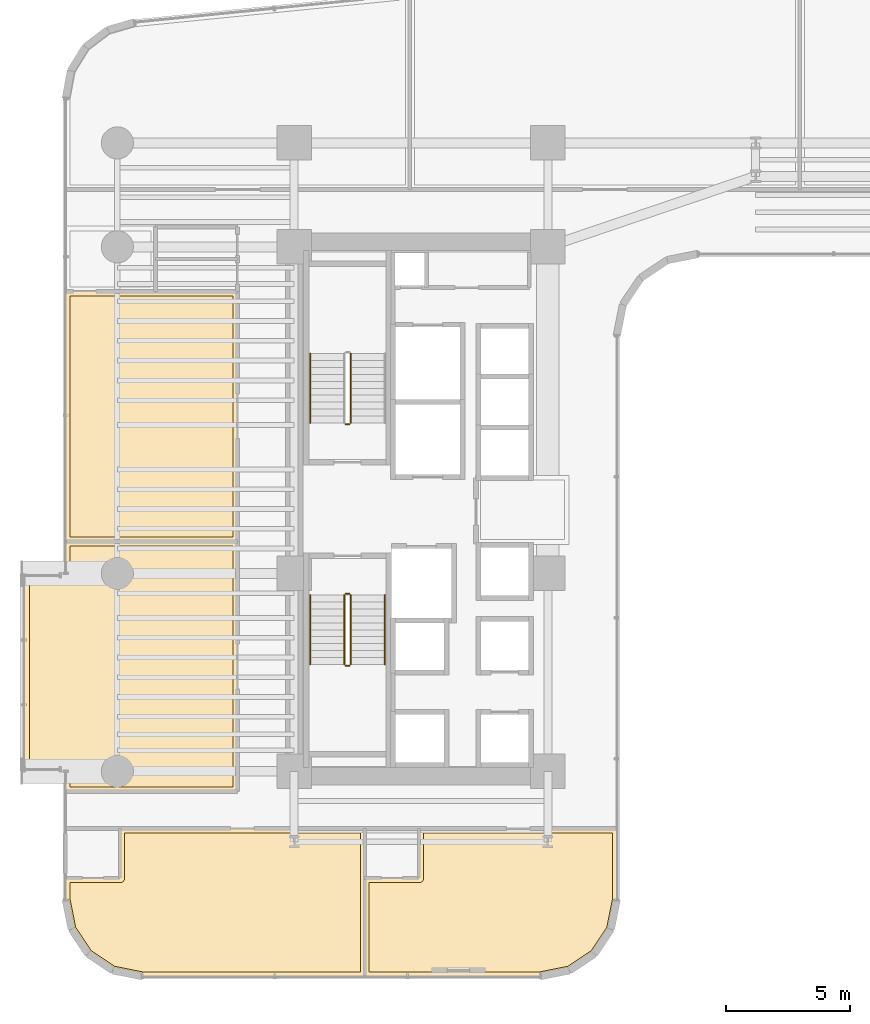
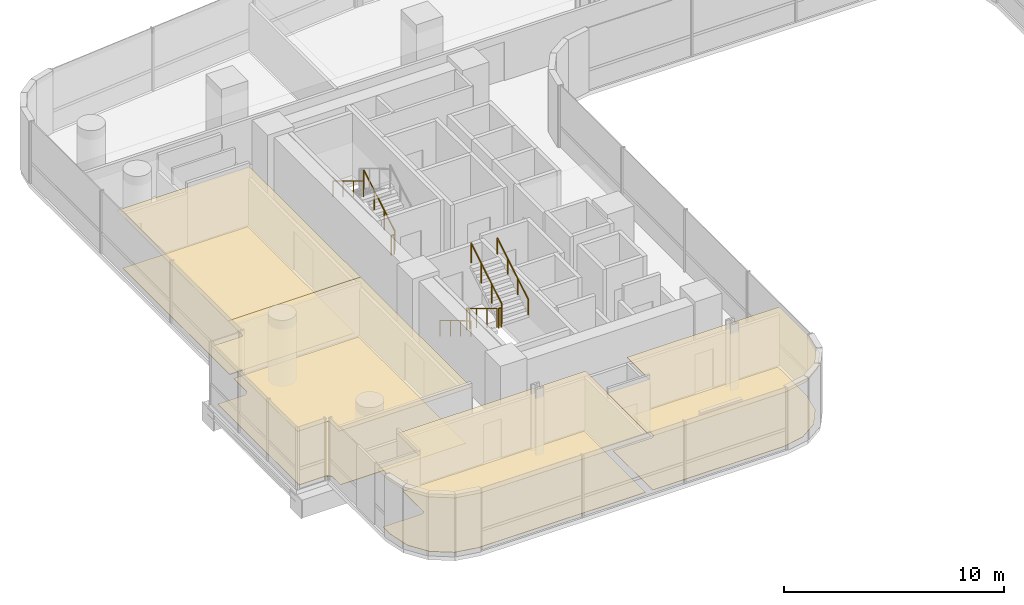
# One storey, part 36 of 40: 9 railings, 8 coverings.
"""IFC4 building model written with IfcOpenShell, lengths in metres."""

import ifcopenshell
import ifcopenshell.guid

model = None  # the IFC model being written
_history = None  # IfcOwnerHistory: only IFC2X3 demands one
_inside = {}  # id of a spatial element -> (the spatial element, [elements in it])
_under = {}  # id of a project, library or spatial element -> (it, [spatial elements below it])
_declared = {}  # id of a project -> (the project, [libraries it declares])
_typed = {}  # id of a type object -> (the type object, [elements of that type])
_made_of = {}  # id of a material, layer set ... -> (it, [elements and type objects made of it])


def new_model(schema):
    """Start an empty IFC model of exactly this schema.

    Asked for "IFC4X3", IfcOpenShell would pick the latest addendum, in which some entities
    have other attributes; the version numbers below select the first issue.
    IFC2X3 requires an IfcOwnerHistory on every rooted entity: one is made here for all.
    """
    global model, _history
    if schema == "IFC4X3":
        model = ifcopenshell.file(schema_version=(4, 3, 0, 0))
    else:
        model = ifcopenshell.file(schema=schema)
    _inside.clear()
    _under.clear()
    _declared.clear()
    _typed.clear()
    _made_of.clear()
    _history = None
    if model.schema == "IFC2X3":
        org = make("IfcOrganization", Name="unknown")
        user = make(
            "IfcPersonAndOrganization",
            ThePerson=make("IfcPerson", FamilyName="unknown"),
            TheOrganization=org,
        )
        app = make(
            "IfcApplication",
            ApplicationDeveloper=org,
            Version="unknown",
            ApplicationFullName="unknown",
            ApplicationIdentifier="unknown",
        )
        _history = make(
            "IfcOwnerHistory",
            OwningUser=user,
            OwningApplication=app,
            ChangeAction="ADDED",
            CreationDate=0,
        )
    return model


def make(cls, **values):
    """One entity of the class cls with the attributes given. An attribute that is None is left unset."""
    return model.create_entity(
        cls, **{name: value for name, value in values.items() if value is not None}
    )


def rooted(cls, **values):
    """An entity with a GlobalId (a new one), such as an element, a storey or a relation."""
    return make(cls, GlobalId=ifcopenshell.guid.new(), OwnerHistory=_history, **values)


def si_unit(unit_type, name, prefix=None):
    """IfcSIUnit, for example si_unit("LENGTHUNIT", "METRE", prefix="MILLI")."""
    return make("IfcSIUnit", UnitType=unit_type, Prefix=prefix, Name=name)


def assignment(units):
    """IfcUnitAssignment: the units of a project."""
    return None if units is None else make("IfcUnitAssignment", Units=units)


def point(xyz):
    """IfcCartesianPoint."""
    return None if xyz is None else make("IfcCartesianPoint", Coordinates=xyz)


def direction(xyz):
    """IfcDirection."""
    return None if xyz is None else make("IfcDirection", DirectionRatios=xyz)


def frame(location, z_axis=None, x_axis=None):
    """IfcAxis2Placement3D, a coordinate frame: its origin and axes. An axis left out is left unset."""
    return make(
        "IfcAxis2Placement3D",
        Location=point(location),
        Axis=direction(z_axis),
        RefDirection=direction(x_axis),
    )


def frame_2d(location, x_axis=None):
    """IfcAxis2Placement2D, a coordinate frame in the plane: its origin and x axis."""
    return make(
        "IfcAxis2Placement2D", Location=point(location), RefDirection=direction(x_axis)
    )


def origin():
    """The frame at (0, 0, 0) with its axes left unset."""
    return frame((0.0, 0.0, 0.0))


def origin_2d():
    """The frame at (0, 0) in the plane with its x axis left unset."""
    return frame_2d((0.0, 0.0))


def place(relative_to, where):
    """IfcLocalPlacement: puts the frame where relative to a parent placement (None: the world)."""
    return make(
        "IfcLocalPlacement", PlacementRelTo=relative_to, RelativePlacement=where
    )


def context(
    kind, dimensions, precision=None, world=None, true_north=None, identifier=None
):
    """IfcGeometricRepresentationContext, for example the 3D "Model" context."""
    return make(
        "IfcGeometricRepresentationContext",
        ContextIdentifier=identifier,
        ContextType=kind,
        CoordinateSpaceDimension=dimensions,
        Precision=precision,
        WorldCoordinateSystem=world,
        TrueNorth=true_north,
    )


def subcontext(parent, identifier, kind, view, scale=None):
    """IfcGeometricRepresentationSubContext, for example "Body" below "Model"."""
    return make(
        "IfcGeometricRepresentationSubContext",
        ContextIdentifier=identifier,
        ContextType=kind,
        ParentContext=parent,
        TargetScale=scale,
        TargetView=view,
    )


def project(units=None, contexts=None):
    """IfcProject with its units and contexts."""
    return rooted(
        "IfcProject",
        Name="project",
        RepresentationContexts=contexts,
        UnitsInContext=assignment(units),
    )


def spatial(cls, under=None, at=None, **own):
    """A site, building, storey or space (cls), placed at a placement, below another one or the project."""
    s = rooted(cls, ObjectPlacement=at, **own)
    if under is not None:
        _under.setdefault(under.id(), (under, []))[1].append(s)
    return s


def polyline(points):
    """IfcPolyline through the points."""
    return make("IfcPolyline", Points=[point(p) for p in points])


def profile(cls, at=None, kind="AREA", **sizes):
    """A parametric profile (cls). Its sizes go by their IFC names, for example OverallWidth=200.0."""
    return make(cls, ProfileType=kind, Position=at, **sizes)


def circle(**sizes):
    """IfcCircleProfileDef."""
    return profile("IfcCircleProfileDef", **sizes)


def outline(outer, holes=None, kind="AREA"):
    """IfcArbitraryClosedProfileDef: a profile drawn as a closed curve; with holes, ...WithVoids."""
    if holes is None:
        return make("IfcArbitraryClosedProfileDef", ProfileType=kind, OuterCurve=outer)
    return make(
        "IfcArbitraryProfileDefWithVoids",
        ProfileType=kind,
        OuterCurve=outer,
        InnerCurves=holes,
    )


def extrude(swept, where, along, depth):
    """IfcExtrudedAreaSolid: the profile swept, set in the frame where, extruded along a direction by depth."""
    return make(
        "IfcExtrudedAreaSolid",
        SweptArea=swept,
        Position=where,
        ExtrudedDirection=direction(along),
        Depth=depth,
    )


def shape(context_of_items, identifier, shape_type, items):
    """IfcShapeRepresentation: the items that make up one representation, for example the "Body"."""
    return make(
        "IfcShapeRepresentation",
        ContextOfItems=context_of_items,
        RepresentationIdentifier=identifier,
        RepresentationType=shape_type,
        Items=items,
    )


def material(Name=None, Category=None):
    """IfcMaterial."""
    return make("IfcMaterial", Name=Name, Category=Category)


def layer(
    of_material, thickness, ventilated=None, Name=None, Category=None, Priority=None
):
    """IfcMaterialLayer: one layer of a wall or slab, of a material (None: an air gap)."""
    return make(
        "IfcMaterialLayer",
        Material=of_material,
        LayerThickness=thickness,
        IsVentilated=ventilated,
        Name=Name,
        Category=Category,
        Priority=Priority,
    )


def layer_set(layers, Name=None):
    """IfcMaterialLayerSet."""
    return make("IfcMaterialLayerSet", MaterialLayers=layers, LayerSetName=Name)


def made_of(thing, what):
    """Note that an element or type object is made of a material, layer set ...; save() writes the relation."""
    if what is not None:
        _made_of.setdefault(what.id(), (what, []))[1].append(thing)
    return thing


def type_object(cls, material=None, **own):
    """A type object (cls), such as IfcWallType, which elements share."""
    return made_of(rooted(cls, **own), material)


def element(
    cls,
    number,
    at=None,
    inside=None,
    cuts=None,
    type_object=None,
    material=None,
    context=None,
    identifier="Body",
    shape_type=None,
    held_by="IfcProductDefinitionShape",
    body=None,
    shapes=None,
    **own,
):
    """One element of the class cls, such as IfcWall. Its Tag is "e" and its number.

    at: its placement. inside: the storey or other place that contains it. cuts: it is an
    opening in that element (IfcRelVoidsElement). A single representation is given by context,
    identifier, shape_type and body (its items); several are given by shapes. held_by: the class
    of the entity that holds the representations. save() writes the other relations.
    """
    e = rooted(cls, Tag="e%d" % number, ObjectPlacement=at, **own)
    if body is not None:
        shapes = [shape(context, identifier, shape_type, body)]
    if shapes is not None:
        e.Representation = make(held_by, Representations=shapes)
    if inside is not None:
        _inside.setdefault(inside.id(), (inside, []))[1].append(e)
    if cuts is not None:
        rooted(
            "IfcRelVoidsElement", RelatingBuildingElement=cuts, RelatedOpeningElement=e
        )
    if type_object is not None:
        _typed.setdefault(type_object.id(), (type_object, []))[1].append(e)
    return made_of(e, material)


def aggregate(whole, parts):
    """IfcRelAggregates: a whole, such as a stair, and the parts it consists of."""
    return rooted("IfcRelAggregates", RelatingObject=whole, RelatedObjects=parts)


def save(model, path):
    """Write the relations noted so far, then the file.

    IfcRelAggregates (storeys below a building ...), IfcRelContainedInSpatialStructure (elements
    in a storey), IfcRelDefinesByType, IfcRelAssociatesMaterial and IfcRelDeclares: one each for
    every whole, place, type object, material and project.
    """
    for whole, parts in _under.values():
        aggregate(whole, parts)
    for where, things in _inside.values():
        rooted(
            "IfcRelContainedInSpatialStructure",
            RelatedElements=things,
            RelatingStructure=where,
        )
    for kind, things in _typed.values():
        rooted("IfcRelDefinesByType", RelatedObjects=things, RelatingType=kind)
    for what, things in _made_of.values():
        rooted("IfcRelAssociatesMaterial", RelatedObjects=things, RelatingMaterial=what)
    for by, libraries in _declared.values():
        rooted("IfcRelDeclares", RelatingContext=by, RelatedDefinitions=libraries)
    model.write(path)


model = new_model("IFC4")

# Units and contexts
model_context = context("Model", 3, precision=1e-05, world=origin(), true_north=direction((0.0, 1.0)))
body_context = subcontext(model_context, "Body", "Model", "MODEL_VIEW")
ifc_project = project(units=[si_unit("LENGTHUNIT", "METRE"), si_unit("AREAUNIT", "SQUARE_METRE"), si_unit("VOLUMEUNIT", "CUBIC_METRE"), si_unit("PLANEANGLEUNIT", "RADIAN"), si_unit("MASSUNIT", "GRAM", prefix="KILO")], contexts=[model_context])

# Site, building, storey
site_placement = place(None, origin())
site = spatial("IfcSite", under=ifc_project, at=site_placement, CompositionType="ELEMENT")
building_placement = place(site_placement, origin())
building = spatial("IfcBuilding", under=site, at=building_placement, Name="Valdorenza Pilgrim Sanctuary Tower", CompositionType="ELEMENT")
storey_placement = place(building_placement, frame((0.0, 0.0, 66.699951171875)))
storey = spatial("IfcBuildingStorey", under=building, at=storey_placement, Name="L16", CompositionType="ELEMENT", Elevation=66.699951171875)

# Coverings
ifc_material_1 = material(Name="Micro-perforated acoustic mineral ceiling tile", Category="gypsum")
ifc_layer_1 = layer(ifc_material_1, 0.02490234375, Name="Micro-perforated acoustic mineral ceiling tile")
ifc_layer_set_1 = layer_set([ifc_layer_1], Name="Micro-perforated acoustic mineral ceiling tile")
covering_type_1 = type_object("IfcCoveringType", Name="COV-CLG-ACU", PredefinedType="CEILING", material=ifc_layer_set_1)
covering_1_placement = place(storey_placement, frame((0.0, 0.0, 3.16015625)))
element("IfcCovering", 1, at=covering_1_placement, inside=storey, type_object=covering_type_1, Name="L16 Theological Seminar Classroom L16-WH1 Acoustic Ceiling", PredefinedType="CEILING", context=body_context, shape_type="SweptSolid", body=[
    extrude(outline(polyline([(-24.93505859375, -11.419921875), (-24.93505859375, -11.42138671875), (-24.935302734375, -11.4228515625), (-24.935546875, -11.42431640625), (-24.93603515625, -11.42578125), (-24.936767578125, -11.427001953125), (-24.9375, -11.42822265625), (-24.9384765625, -11.429443359375), (-24.939453125, -11.4306640625), (-24.9404296875, -11.431640625), (-24.941650390625, -11.4326171875), (-24.94287109375, -11.43310546875), (-24.9443359375, -11.433837890625), (-24.945556640625, -11.434326171875), (-24.947021484375, -11.434814453125), (-24.948486328125, -11.434814453125), (-24.949951171875, -11.43505859375), (-31.889892578125, -11.43505859375), (-31.8916015625, -11.434814453125), (-31.892822265625, -11.434814453125), (-31.894287109375, -11.434326171875), (-31.895751953125, -11.433837890625), (-31.897216796875, -11.43310546875), (-31.898193359375, -11.4326171875), (-31.8994140625, -11.431640625), (-31.900634765625, -11.4306640625), (-31.901611328125, -11.429443359375), (-31.902587890625, -11.42822265625), (-31.9033203125, -11.427001953125), (-31.90380859375, -11.42578125), (-31.904296875, -11.42431640625), (-31.90478515625, -11.4228515625), (-31.90478515625, -11.42138671875), (-31.905029296875, -11.419921875), (-31.905029296875, -10.600341796875), (-31.905517578125, -10.5908203125), (-31.90673828125, -10.58154296875), (-31.9091796875, -10.572509765625), (-31.912109375, -10.563720703125), (-31.916259765625, -10.55517578125), (-31.9208984375, -10.547119140625), (-31.926513671875, -10.539794921875), (-31.932861328125, -10.53271484375), (-31.939697265625, -10.526611328125), (-31.947265625, -10.52099609375), (-31.955078125, -10.51611328125), (-31.963623046875, -10.51220703125), (-31.972412109375, -10.509033203125), (-31.9814453125, -10.5068359375), (-31.99072265625, -10.505615234375), (-32.00048828125, -10.5048828125), (-33.5400390625, -10.5048828125), (-33.54150390625, -10.5048828125), (-33.54296875, -10.504638671875), (-33.54443359375, -10.50439453125), (-33.545654296875, -10.50390625), (-33.547119140625, -10.503173828125), (-33.54833984375, -10.50244140625), (-33.549560546875, -10.501708984375), (-33.550537109375, -10.50048828125), (-33.551513671875, -10.49951171875), (-33.552490234375, -10.498291015625), (-33.55322265625, -10.4970703125), (-33.553955078125, -10.49560546875), (-33.554443359375, -10.494384765625), (-33.5546875, -10.492919921875), (-33.554931640625, -10.491455078125), (-33.554931640625, -10.489990234375), (-33.554931640625, -2.7099609375), (-33.554931640625, -2.70849609375), (-33.5546875, -2.70703125), (-33.554443359375, -2.70556640625), (-33.553955078125, -2.704345703125), (-33.55322265625, -2.702880859375), (-33.552490234375, -2.70166015625), (-33.551513671875, -2.700439453125), (-33.550537109375, -2.699462890625), (-33.549560546875, -2.698486328125), (-33.54833984375, -2.697509765625), (-33.547119140625, -2.69677734375), (-33.545654296875, -2.696044921875), (-33.54443359375, -2.695556640625), (-33.54296875, -2.6953125), (-33.54150390625, -2.695068359375), (-33.5400390625, -2.695068359375), (-32.00048828125, -2.695068359375), (-31.99072265625, -2.694580078125), (-31.9814453125, -2.693115234375), (-31.972412109375, -2.69091796875), (-31.963623046875, -2.687744140625), (-31.955078125, -2.683837890625), (-31.947265625, -2.678955078125), (-31.939697265625, -2.67333984375), (-31.932861328125, -2.667236328125), (-31.926513671875, -2.660400390625), (-31.9208984375, -2.65283203125), (-31.916259765625, -2.644775390625), (-31.912109375, -2.63623046875), (-31.9091796875, -2.627685546875), (-31.90673828125, -2.618408203125), (-31.905517578125, -2.609375), (-31.905029296875, -2.599609375), (-31.905029296875, -1.31005859375), (-31.90478515625, -1.30859375), (-31.90478515625, -1.30712890625), (-31.904296875, -1.3056640625), (-31.90380859375, -1.30419921875), (-31.9033203125, -1.302978515625), (-31.902587890625, -1.3017578125), (-31.901611328125, -1.300537109375), (-31.900634765625, -1.29931640625), (-31.8994140625, -1.29833984375), (-31.898193359375, -1.297607421875), (-31.897216796875, -1.296875), (-31.895751953125, -1.296142578125), (-31.894287109375, -1.295654296875), (-31.892822265625, -1.29541015625), (-31.8916015625, -1.295166015625), (-31.889892578125, -1.294921875), (-24.949951171875, -1.294921875), (-24.948486328125, -1.295166015625), (-24.947021484375, -1.29541015625), (-24.945556640625, -1.295654296875), (-24.9443359375, -1.296142578125), (-24.94287109375, -1.296875), (-24.941650390625, -1.297607421875), (-24.9404296875, -1.29833984375), (-24.939453125, -1.29931640625), (-24.9384765625, -1.300537109375), (-24.9375, -1.3017578125), (-24.936767578125, -1.302978515625), (-24.93603515625, -1.30419921875), (-24.935546875, -1.3056640625), (-24.935302734375, -1.30712890625), (-24.93505859375, -1.30859375), (-24.93505859375, -1.31005859375), (-24.93505859375, -11.419921875)])), origin(), (0.0, 0.0, 1.0), 0.02490234375),
])
covering_2_placement = place(storey_placement, frame((0.0, 0.0, 3.16015625)))
element("IfcCovering", 2, at=covering_2_placement, inside=storey, type_object=covering_type_1, Name="L16 Theological Seminar Classroom L16-WH2 Acoustic Ceiling", PredefinedType="CEILING", context=body_context, shape_type="SweptSolid", body=[
    extrude(outline(polyline([(-28.253662109375, 8.81298828125), (-28.253173828125, 8.81298828125), (-28.25146484375, 8.813232421875), (-28.25, 8.813232421875), (-28.24853515625, 8.81298828125), (-28.248291015625, 8.81298828125), (-24.949951171875, 8.81298828125), (-24.948486328125, 8.81298828125), (-24.947021484375, 8.812744140625), (-24.945556640625, 8.8125), (-24.9443359375, 8.81201171875), (-24.94287109375, 8.811279296875), (-24.941650390625, 8.810546875), (-24.9404296875, 8.8095703125), (-24.939453125, 8.80859375), (-24.9384765625, 8.8076171875), (-24.9375, 8.806396484375), (-24.936767578125, 8.80517578125), (-24.93603515625, 8.8037109375), (-24.935546875, 8.802490234375), (-24.935302734375, 8.80078125), (-24.93505859375, 8.799560546875), (-24.93505859375, 8.798095703125), (-24.93505859375, -1.30810546875), (-24.93505859375, -1.3095703125), (-24.935302734375, -1.310791015625), (-24.935546875, -1.3125), (-24.93603515625, -1.313720703125), (-24.936767578125, -1.315185546875), (-24.9375, -1.31640625), (-24.9384765625, -1.3173828125), (-24.939453125, -1.318603515625), (-24.9404296875, -1.319580078125), (-24.941650390625, -1.320556640625), (-24.94287109375, -1.3212890625), (-24.9443359375, -1.322021484375), (-24.945556640625, -1.322509765625), (-24.947021484375, -1.32275390625), (-24.948486328125, -1.322998046875), (-24.949951171875, -1.322998046875), (-31.889892578125, -1.322998046875), (-31.8916015625, -1.322998046875), (-31.892822265625, -1.32275390625), (-31.894287109375, -1.322509765625), (-31.895751953125, -1.322021484375), (-31.897216796875, -1.3212890625), (-31.898193359375, -1.320556640625), (-31.8994140625, -1.319580078125), (-31.900634765625, -1.318603515625), (-31.901611328125, -1.3173828125), (-31.902587890625, -1.31640625), (-31.9033203125, -1.315185546875), (-31.90380859375, -1.313720703125), (-31.904296875, -1.3125), (-31.90478515625, -1.310791015625), (-31.90478515625, -1.3095703125), (-31.905029296875, -1.30810546875), (-31.905029296875, 8.798095703125), (-31.90478515625, 8.799560546875), (-31.90478515625, 8.80078125), (-31.904296875, 8.802490234375), (-31.90380859375, 8.8037109375), (-31.9033203125, 8.80517578125), (-31.902587890625, 8.806396484375), (-31.901611328125, 8.8076171875), (-31.900634765625, 8.80859375), (-31.8994140625, 8.8095703125), (-31.898193359375, 8.810546875), (-31.897216796875, 8.811279296875), (-31.895751953125, 8.81201171875), (-31.894287109375, 8.8125), (-31.892822265625, 8.812744140625), (-31.8916015625, 8.81298828125), (-31.889892578125, 8.81298828125), (-28.253662109375, 8.81298828125)])), origin(), (0.0, 0.0, 1.0), 0.02490234375),
])
covering_3_placement = place(storey_placement, frame((0.0, 0.0, 3.16015625)))
element("IfcCovering", 3, at=covering_3_placement, inside=storey, type_object=covering_type_1, Name="L16 South Guest Room L16-S1 Acoustic Ceiling", PredefinedType="CEILING", context=body_context, shape_type="SweptSolid", body=[
    extrude(outline(polyline([(-29.702880859375, -14.906982421875), (-29.702880859375, -12.919921875), (-29.702880859375, -12.91845703125), (-29.70263671875, -12.9169921875), (-29.702392578125, -12.91552734375), (-29.701904296875, -12.914306640625), (-29.701171875, -12.912841796875), (-29.700439453125, -12.91162109375), (-29.69970703125, -12.910400390625), (-29.698486328125, -12.909423828125), (-29.697509765625, -12.908447265625), (-29.6962890625, -12.907470703125), (-29.695068359375, -12.90673828125), (-29.693603515625, -12.906005859375), (-29.6923828125, -12.905517578125), (-29.69091796875, -12.9052734375), (-29.689453125, -12.905029296875), (-29.68798828125, -12.905029296875), (-19.800048828125, -12.905029296875), (-19.798583984375, -12.905029296875), (-19.797119140625, -12.9052734375), (-19.795654296875, -12.905517578125), (-19.794189453125, -12.906005859375), (-19.79296875, -12.90673828125), (-19.791748046875, -12.907470703125), (-19.79052734375, -12.908447265625), (-19.789306640625, -12.909423828125), (-19.788330078125, -12.910400390625), (-19.78759765625, -12.91162109375), (-19.786865234375, -12.912841796875), (-19.7861328125, -12.914306640625), (-19.78564453125, -12.91552734375), (-19.785400390625, -12.9169921875), (-19.78515625, -12.91845703125), (-19.784912109375, -12.919921875), (-19.784912109375, -18.889892578125), (-19.78515625, -18.8916015625), (-19.785400390625, -18.892822265625), (-19.78564453125, -18.894287109375), (-19.7861328125, -18.895751953125), (-19.786865234375, -18.897216796875), (-19.78759765625, -18.898193359375), (-19.788330078125, -18.8994140625), (-19.789306640625, -18.900634765625), (-19.79052734375, -18.901611328125), (-19.791748046875, -18.902587890625), (-19.79296875, -18.9033203125), (-19.794189453125, -18.90380859375), (-19.795654296875, -18.904296875), (-19.797119140625, -18.90478515625), (-19.798583984375, -18.90478515625), (-19.800048828125, -18.905029296875), (-28.789306640625, -18.905029296875), (-28.79052734375, -18.90478515625), (-28.7919921875, -18.90478515625), (-29.984619140625, -18.66748046875), (-29.986083984375, -18.6669921875), (-29.9873046875, -18.66650390625), (-29.98876953125, -18.666015625), (-29.989990234375, -18.665283203125), (-30.99169921875, -17.995849609375), (-30.992919921875, -17.9951171875), (-30.993896484375, -17.993896484375), (-30.9951171875, -17.992919921875), (-30.995849609375, -17.99169921875), (-31.665283203125, -16.989990234375), (-31.666015625, -16.98876953125), (-31.66650390625, -16.9873046875), (-31.6669921875, -16.986083984375), (-31.66748046875, -16.984619140625), (-31.90478515625, -15.7919921875), (-31.90478515625, -15.79052734375), (-31.905029296875, -15.789306640625), (-31.905029296875, -14.922119140625), (-31.90478515625, -14.92041015625), (-31.90478515625, -14.919189453125), (-31.904296875, -14.91748046875), (-31.90380859375, -14.916259765625), (-31.9033203125, -14.914794921875), (-31.902587890625, -14.913818359375), (-31.901611328125, -14.91259765625), (-31.900634765625, -14.911376953125), (-31.8994140625, -14.910400390625), (-31.898193359375, -14.909423828125), (-31.897216796875, -14.90869140625), (-31.895751953125, -14.908203125), (-31.894287109375, -14.90771484375), (-31.892822265625, -14.9072265625), (-31.8916015625, -14.906982421875), (-31.889892578125, -14.906982421875), (-29.702880859375, -14.906982421875)])), origin(), (0.0, 0.0, 1.0), 0.02490234375),
])
covering_4_placement = place(storey_placement, frame((0.0, 0.0, 3.16015625)))
element("IfcCovering", 4, at=covering_4_placement, inside=storey, type_object=covering_type_1, Name="L16 South Guest Room L16-S2 Acoustic Ceiling", PredefinedType="CEILING", context=body_context, shape_type="SweptSolid", body=[
    extrude(outline(polyline([(-17.613037109375, -14.906982421875), (-17.613037109375, -12.919921875), (-17.61279296875, -12.91845703125), (-17.61279296875, -12.9169921875), (-17.6123046875, -12.91552734375), (-17.61181640625, -12.914306640625), (-17.611083984375, -12.912841796875), (-17.610595703125, -12.91162109375), (-17.609619140625, -12.910400390625), (-17.608642578125, -12.909423828125), (-17.607421875, -12.908447265625), (-17.606201171875, -12.907470703125), (-17.60498046875, -12.90673828125), (-17.603759765625, -12.906005859375), (-17.602294921875, -12.905517578125), (-17.600830078125, -12.9052734375), (-17.599609375, -12.905029296875), (-17.597900390625, -12.905029296875), (-9.610107421875, -12.905029296875), (-9.6083984375, -12.905029296875), (-9.607177734375, -12.9052734375), (-9.605712890625, -12.905517578125), (-9.604248046875, -12.906005859375), (-9.602783203125, -12.90673828125), (-9.601806640625, -12.907470703125), (-9.6005859375, -12.908447265625), (-9.599365234375, -12.909423828125), (-9.598388671875, -12.910400390625), (-9.597412109375, -12.91162109375), (-9.5966796875, -12.912841796875), (-9.59619140625, -12.914306640625), (-9.595703125, -12.91552734375), (-9.59521484375, -12.9169921875), (-9.59521484375, -12.91845703125), (-9.594970703125, -12.919921875), (-9.594970703125, -15.789306640625), (-9.59521484375, -15.79052734375), (-9.59521484375, -15.7919921875), (-9.83251953125, -16.984619140625), (-9.8330078125, -16.986083984375), (-9.83349609375, -16.9873046875), (-9.833984375, -16.98876953125), (-9.834716796875, -16.989990234375), (-10.504150390625, -17.99169921875), (-10.5048828125, -17.992919921875), (-10.506103515625, -17.993896484375), (-10.507080078125, -17.9951171875), (-10.50830078125, -17.995849609375), (-11.510009765625, -18.665283203125), (-11.51123046875, -18.666015625), (-11.5126953125, -18.66650390625), (-11.513916015625, -18.6669921875), (-11.515380859375, -18.66748046875), (-12.7080078125, -18.90478515625), (-12.70947265625, -18.90478515625), (-12.710693359375, -18.905029296875), (-19.798095703125, -18.905029296875), (-19.799560546875, -18.90478515625), (-19.80078125, -18.90478515625), (-19.802490234375, -18.904296875), (-19.8037109375, -18.90380859375), (-19.80517578125, -18.9033203125), (-19.806396484375, -18.902587890625), (-19.8076171875, -18.901611328125), (-19.80859375, -18.900634765625), (-19.8095703125, -18.8994140625), (-19.810546875, -18.898193359375), (-19.811279296875, -18.897216796875), (-19.81201171875, -18.895751953125), (-19.8125, -18.894287109375), (-19.812744140625, -18.892822265625), (-19.81298828125, -18.8916015625), (-19.81298828125, -18.889892578125), (-19.81298828125, -14.922119140625), (-19.81298828125, -14.92041015625), (-19.812744140625, -14.919189453125), (-19.8125, -14.91748046875), (-19.81201171875, -14.916259765625), (-19.811279296875, -14.914794921875), (-19.810546875, -14.913818359375), (-19.8095703125, -14.91259765625), (-19.80859375, -14.911376953125), (-19.8076171875, -14.910400390625), (-19.806396484375, -14.909423828125), (-19.80517578125, -14.90869140625), (-19.8037109375, -14.908203125), (-19.802490234375, -14.90771484375), (-19.80078125, -14.9072265625), (-19.799560546875, -14.906982421875), (-19.798095703125, -14.906982421875), (-17.613037109375, -14.906982421875)])), origin(), (0.0, 0.0, 1.0), 0.02490234375),
])
ifc_material_2 = material(Name="Engineered European oak timber flooring", Category="wood")
ifc_layer_2 = layer(ifc_material_2, 0.02197265625, Name="Engineered European oak timber flooring")
ifc_layer_set_2 = layer_set([ifc_layer_2], Name="Engineered European oak timber flooring")
covering_type_2 = type_object("IfcCoveringType", Name="COV-FLR-OAK", PredefinedType="FLOORING", material=ifc_layer_set_2)
covering_5_placement = place(storey_placement, origin())
element("IfcCovering", 5, at=covering_5_placement, inside=storey, type_object=covering_type_2, Name="L16 Theological Seminar Classroom L16-WH1 Flooring", PredefinedType="FLOORING", context=body_context, shape_type="SweptSolid", body=[
    extrude(outline(polyline([(-25.1298828125, -11.239990234375), (-31.7099609375, -11.239990234375), (-31.7099609375, -10.60009765625), (-31.710205078125, -10.59130859375), (-31.710693359375, -10.580322265625), (-31.71240234375, -10.562744140625), (-31.714111328125, -10.552001953125), (-31.717529296875, -10.534912109375), (-31.72021484375, -10.5244140625), (-31.725341796875, -10.50732421875), (-31.72900390625, -10.497314453125), (-31.735595703125, -10.48095703125), (-31.740234375, -10.47119140625), (-31.74853515625, -10.45556640625), (-31.754150390625, -10.4462890625), (-31.763916015625, -10.431640625), (-31.7705078125, -10.423095703125), (-31.781494140625, -10.4091796875), (-31.788818359375, -10.4013671875), (-31.80126953125, -10.388916015625), (-31.809326171875, -10.381591796875), (-31.822998046875, -10.370361328125), (-31.831787109375, -10.364013671875), (-31.84619140625, -10.35400390625), (-31.855712890625, -10.3486328125), (-31.87109375, -10.34033203125), (-31.880859375, -10.335693359375), (-31.897216796875, -10.328857421875), (-31.907470703125, -10.3251953125), (-31.92431640625, -10.320068359375), (-31.934814453125, -10.3173828125), (-31.9521484375, -10.314208984375), (-31.962890625, -10.3125), (-31.98046875, -10.310791015625), (-31.9912109375, -10.310302734375), (-32.0, -10.31005859375), (-33.360107421875, -10.31005859375), (-33.360107421875, -2.889892578125), (-32.0, -2.889892578125), (-31.9912109375, -2.889892578125), (-31.98046875, -2.889404296875), (-31.962890625, -2.887451171875), (-31.9521484375, -2.885986328125), (-31.934814453125, -2.882568359375), (-31.92431640625, -2.8798828125), (-31.907470703125, -2.874755859375), (-31.897216796875, -2.87109375), (-31.880859375, -2.8642578125), (-31.87109375, -2.859619140625), (-31.855712890625, -2.851318359375), (-31.84619140625, -2.845947265625), (-31.831787109375, -2.8359375), (-31.822998046875, -2.82958984375), (-31.809326171875, -2.818359375), (-31.80126953125, -2.811279296875), (-31.788818359375, -2.798583984375), (-31.781494140625, -2.790771484375), (-31.7705078125, -2.777099609375), (-31.763916015625, -2.768310546875), (-31.754150390625, -2.753662109375), (-31.74853515625, -2.744384765625), (-31.740234375, -2.728759765625), (-31.735595703125, -2.718994140625), (-31.72900390625, -2.70263671875), (-31.725341796875, -2.692626953125), (-31.72021484375, -2.67578125), (-31.717529296875, -2.665283203125), (-31.714111328125, -2.64794921875), (-31.71240234375, -2.63720703125), (-31.710693359375, -2.61962890625), (-31.710205078125, -2.60888671875), (-31.7099609375, -2.60009765625), (-31.7099609375, -1.489990234375), (-25.1298828125, -1.489990234375), (-25.1298828125, -11.239990234375)])), origin(), (0.0, 0.0, 1.0), 0.025146484375),
])
covering_6_placement = place(storey_placement, origin())
element("IfcCovering", 6, at=covering_6_placement, inside=storey, type_object=covering_type_2, Name="L16 Theological Seminar Classroom L16-WH2 Flooring", PredefinedType="FLOORING", context=body_context, shape_type="SweptSolid", body=[
    extrude(outline(polyline([(-28.250244140625, 8.617919921875), (-28.25, 8.617919921875), (-25.1298828125, 8.617919921875), (-25.1298828125, -1.1279296875), (-31.7099609375, -1.1279296875), (-31.7099609375, 8.617919921875), (-28.251953125, 8.617919921875), (-28.2509765625, 8.617919921875), (-28.250244140625, 8.617919921875)])), origin(), (0.0, 0.0, 1.0), 0.025146484375),
])
covering_7_placement = place(storey_placement, origin())
element("IfcCovering", 7, at=covering_7_placement, inside=storey, type_object=covering_type_2, Name="L16 South Guest Room L16-S1 Flooring", PredefinedType="FLOORING", context=body_context, shape_type="SweptSolid", body=[
    extrude(outline(polyline([(-28.771484375, -18.7099609375), (-29.911376953125, -18.483154296875), (-30.853515625, -17.853515625), (-31.483154296875, -16.911376953125), (-31.7099609375, -15.771484375), (-31.7099609375, -15.10205078125), (-29.68994140625, -15.10205078125), (-29.68115234375, -15.101806640625), (-29.680908203125, -15.101806640625), (-29.663330078125, -15.10009765625), (-29.6630859375, -15.10009765625), (-29.64599609375, -15.0966796875), (-29.645751953125, -15.096435546875), (-29.62890625, -15.09130859375), (-29.628662109375, -15.09130859375), (-29.6123046875, -15.084716796875), (-29.612060546875, -15.08447265625), (-29.596435546875, -15.076171875), (-29.596435546875, -15.076171875), (-29.581787109375, -15.066162109375), (-29.58154296875, -15.066162109375), (-29.56787109375, -15.054931640625), (-29.567626953125, -15.0546875), (-29.55517578125, -15.042236328125), (-29.55517578125, -15.0419921875), (-29.5439453125, -15.028564453125), (-29.543701171875, -15.0283203125), (-29.533935546875, -15.013671875), (-29.53369140625, -15.013427734375), (-29.525390625, -14.997802734375), (-29.525390625, -14.997802734375), (-29.518798828125, -14.9814453125), (-29.5185546875, -14.981201171875), (-29.513427734375, -14.96435546875), (-29.513427734375, -14.964111328125), (-29.510009765625, -14.94677734375), (-29.510009765625, -14.946533203125), (-29.50830078125, -14.928955078125), (-29.50830078125, -14.9287109375), (-29.508056640625, -14.919921875), (-29.508056640625, -13.10009765625), (-19.97998046875, -13.10009765625), (-19.97998046875, -18.7099609375), (-28.771484375, -18.7099609375)])), origin(), (0.0, 0.0, 1.0), 0.025146484375),
])
covering_8_placement = place(storey_placement, origin())
element("IfcCovering", 8, at=covering_8_placement, inside=storey, type_object=covering_type_2, Name="L16 South Guest Room L16-S2 Flooring", PredefinedType="FLOORING", context=body_context, shape_type="SweptSolid", body=[
    extrude(outline(polyline([(-10.016845703125, -16.911376953125), (-10.646484375, -17.853515625), (-11.588623046875, -18.483154296875), (-12.728515625, -18.7099609375), (-19.617919921875, -18.7099609375), (-19.617919921875, -15.10205078125), (-17.60009765625, -15.10205078125), (-17.59130859375, -15.101806640625), (-17.591064453125, -15.101806640625), (-17.573486328125, -15.10009765625), (-17.5732421875, -15.10009765625), (-17.555908203125, -15.0966796875), (-17.5556640625, -15.096435546875), (-17.538818359375, -15.09130859375), (-17.53857421875, -15.09130859375), (-17.522216796875, -15.084716796875), (-17.522216796875, -15.08447265625), (-17.506591796875, -15.076171875), (-17.50634765625, -15.076171875), (-17.49169921875, -15.066162109375), (-17.491455078125, -15.066162109375), (-17.477783203125, -15.054931640625), (-17.477783203125, -15.0546875), (-17.465087890625, -15.042236328125), (-17.465087890625, -15.0419921875), (-17.453857421875, -15.028564453125), (-17.453857421875, -15.0283203125), (-17.44384765625, -15.013671875), (-17.44384765625, -15.013427734375), (-17.435546875, -14.997802734375), (-17.435302734375, -14.997802734375), (-17.4287109375, -14.9814453125), (-17.4287109375, -14.981201171875), (-17.423583984375, -14.96435546875), (-17.42333984375, -14.964111328125), (-17.419921875, -14.94677734375), (-17.419921875, -14.946533203125), (-17.418212890625, -14.928955078125), (-17.418212890625, -14.9287109375), (-17.41796875, -14.919921875), (-17.41796875, -13.10009765625), (-9.7900390625, -13.10009765625), (-9.7900390625, -15.771484375), (-10.016845703125, -16.911376953125)])), origin(), (0.0, 0.0, 1.0), 0.025146484375),
])

# Railings
ifc_material_3 = material(Name="Stainless steel Grade 316", Category="steel")
railing_type_1 = type_object("IfcRailingType", Name="RLG-GRD-1120", PredefinedType="GUARDRAIL", material=ifc_material_3)
railing_1_placement = place(storey_placement, frame((-20.3701171875, 3.47998046875, 0.168212890625)))
element("IfcRailing", 9, at=railing_1_placement, inside=storey, type_object=railing_type_1, Name="L16 ST-A1 stair guard 1", PredefinedType="GUARDRAIL", context=body_context, shape_type="SweptSolid", body=[
    extrude(circle(Radius=0.02392578125, at=origin_2d()), frame((0.0, 0.0, 1.076171875), z_axis=(0.0, 0.857242210791, 0.514913383045), x_axis=(-1.0, 0.0, 0.0)), (0.0, 0.0, 1.0), 3.266357421875),
    extrude(circle(Radius=0.02099609375, at=origin_2d()), origin(), (0.0, 0.0, 1.0), 1.052001953125),
    extrude(circle(Radius=0.02099609375, at=origin_2d()), frame((0.0, 0.933349609375, 0.560546875)), (0.0, 0.0, 1.0), 1.052001953125),
    extrude(circle(Radius=0.02099609375, at=origin_2d()), frame((0.0, 1.86669921875, 1.121337890625)), (0.0, 0.0, 1.0), 1.052001953125),
    extrude(circle(Radius=0.02099609375, at=origin_2d()), frame((0.0, 2.800048828125, 1.681884765625)), (0.0, 0.0, 1.0), 1.052001953125),
])
railing_2_placement = place(storey_placement, frame((-20.419921875, 3.429931640625, 0.0)))
element("IfcRailing", 10, at=railing_2_placement, inside=storey, type_object=railing_type_1, Name="L16 ST-A1 stair guard 4", PredefinedType="GUARDRAIL", context=body_context, shape_type="SweptSolid", body=[
    extrude(circle(Radius=0.02392578125, at=origin_2d()), frame((0.0, 0.0, 1.076171875), z_axis=(-1.0, 0.0, 0.0), x_axis=(0.0, -1.0, 0.0)), (0.0, 0.0, 1.0), 0.150146484375),
    extrude(circle(Radius=0.02099609375, at=origin_2d()), origin(), (0.0, 0.0, 1.0), 1.052001953125),
    extrude(circle(Radius=0.02099609375, at=origin_2d()), frame((-0.150146484375, 0.0, 0.0)), (0.0, 0.0, 1.0), 1.052001953125),
])
railing_3_placement = place(storey_placement, frame((-20.6201171875, -3.47998046875, 0.168212890625)))
element("IfcRailing", 11, at=railing_3_placement, inside=storey, type_object=railing_type_1, Name="L16 ST-A2 stair guard 1", PredefinedType="GUARDRAIL", context=body_context, shape_type="SweptSolid", body=[
    extrude(circle(Radius=0.02392578125, at=origin_2d()), frame((0.0, 0.0, 1.076171875), z_axis=(0.0, -0.857242210791, 0.514913383045), x_axis=(1.0, 0.0, 0.0)), (0.0, 0.0, 1.0), 3.266357421875),
    extrude(circle(Radius=0.02099609375, at=origin_2d()), origin(), (0.0, 0.0, 1.0), 1.052001953125),
    extrude(circle(Radius=0.02099609375, at=origin_2d()), frame((0.0, -0.933349609375, 0.560546875)), (0.0, 0.0, 1.0), 1.052001953125),
    extrude(circle(Radius=0.02099609375, at=origin_2d()), frame((0.0, -1.86669921875, 1.121337890625)), (0.0, 0.0, 1.0), 1.052001953125),
    extrude(circle(Radius=0.02099609375, at=origin_2d()), frame((0.0, -2.800048828125, 1.681884765625)), (0.0, 0.0, 1.0), 1.052001953125),
])
railing_4_placement = place(storey_placement, frame((-20.570068359375, -6.330078125, 1.85009765625)))
element("IfcRailing", 12, at=railing_4_placement, inside=storey, type_object=railing_type_1, Name="L16 ST-A2 stair guard 2", PredefinedType="GUARDRAIL", context=body_context, shape_type="SweptSolid", body=[
    extrude(circle(Radius=0.02392578125, at=origin_2d()), frame((0.0, 0.0, 1.076171875), z_axis=(1.0, 0.0, 0.0), x_axis=(0.0, 1.0, 0.0)), (0.0, 0.0, 1.0), 0.150146484375),
    extrude(circle(Radius=0.02099609375, at=origin_2d()), origin(), (0.0, 0.0, 1.0), 1.052001953125),
    extrude(circle(Radius=0.02099609375, at=origin_2d()), frame((0.150146484375, 0.0, 0.0)), (0.0, 0.0, 1.0), 1.052001953125),
])
railing_5_placement = place(storey_placement, frame((-20.3701171875, -6.280029296875, 2.018310546875)))
element("IfcRailing", 13, at=railing_5_placement, inside=storey, type_object=railing_type_1, Name="L16 ST-A2 stair guard 3", PredefinedType="GUARDRAIL", context=body_context, shape_type="SweptSolid", body=[
    extrude(circle(Radius=0.02392578125, at=origin_2d()), frame((0.0, 0.0, 1.076171875), z_axis=(0.0, 0.857275202839, 0.514858452973), x_axis=(-1.0, 0.0, 0.0)), (0.0, 0.0, 1.0), 3.26611328125),
    extrude(circle(Radius=0.02099609375, at=origin_2d()), origin(), (0.0, 0.0, 1.0), 1.052001953125),
    extrude(circle(Radius=0.02099609375, at=origin_2d()), frame((0.0, 0.933349609375, 0.560546875)), (0.0, 0.0, 1.0), 1.052001953125),
    extrude(circle(Radius=0.02099609375, at=origin_2d()), frame((0.0, 1.86669921875, 1.12109375)), (0.0, 0.0, 1.0), 1.052001953125),
    extrude(circle(Radius=0.02099609375, at=origin_2d()), frame((0.0, 2.800048828125, 1.681640625)), (0.0, 0.0, 1.0), 1.052001953125),
])
railing_6_placement = place(storey_placement, frame((-20.570068359375, -3.429931640625, 0.0)))
element("IfcRailing", 14, at=railing_6_placement, inside=storey, type_object=railing_type_1, Name="L16 ST-A2 stair guard 4", PredefinedType="GUARDRAIL", context=body_context, shape_type="SweptSolid", body=[
    extrude(circle(Radius=0.02392578125, at=origin_2d()), frame((0.0, 0.0, 1.076171875), z_axis=(1.0, 0.0, 0.0), x_axis=(0.0, 1.0, 0.0)), (0.0, 0.0, 1.0), 0.150146484375),
    extrude(circle(Radius=0.02099609375, at=origin_2d()), origin(), (0.0, 0.0, 1.0), 1.052001953125),
    extrude(circle(Radius=0.02099609375, at=origin_2d()), frame((0.150146484375, 0.0, 0.0)), (0.0, 0.0, 1.0), 1.052001953125),
])
ifc_material_4 = material(Name="Brushed stainless steel Grade 316", Category="steel")
railing_type_2 = type_object("IfcRailingType", Name="RLG-HND-920", PredefinedType="HANDRAIL", material=ifc_material_4)
railing_7_placement = place(storey_placement, frame((-22.0, 6.280029296875, 2.018310546875)))
element("IfcRailing", 15, at=railing_7_placement, inside=storey, type_object=railing_type_2, Name="L16 ST-A1 stair handrail 2", PredefinedType="HANDRAIL", context=body_context, shape_type="SweptSolid", body=[
    extrude(circle(Radius=0.02392578125, at=origin_2d()), frame((0.0, 0.0, 0.8759765625), z_axis=(0.0, -0.857275202839, 0.514858452973), x_axis=(1.0, 0.0, 0.0)), (0.0, 0.0, 1.0), 3.26611328125),
    extrude(circle(Radius=0.02099609375, at=origin_2d()), origin(), (0.0, 0.0, 1.0), 0.851806640625),
    extrude(circle(Radius=0.02099609375, at=origin_2d()), frame((0.0, -0.933349609375, 0.560546875)), (0.0, 0.0, 1.0), 0.851806640625),
    extrude(circle(Radius=0.02099609375, at=origin_2d()), frame((0.0, -1.86669921875, 1.12109375)), (0.0, 0.0, 1.0), 0.851806640625),
    extrude(circle(Radius=0.02099609375, at=origin_2d()), frame((0.0, -2.800048828125, 1.681640625)), (0.0, 0.0, 1.0), 0.851806640625),
])
railing_8_placement = place(storey_placement, frame((-22.0, -3.47998046875, 0.168212890625)))
element("IfcRailing", 16, at=railing_8_placement, inside=storey, type_object=railing_type_2, Name="L16 ST-A2 stair handrail 1", PredefinedType="HANDRAIL", context=body_context, shape_type="SweptSolid", body=[
    extrude(circle(Radius=0.02392578125, at=origin_2d()), frame((0.0, 0.0, 0.8759765625), z_axis=(0.0, -0.857242210791, 0.514913383045), x_axis=(1.0, 0.0, 0.0)), (0.0, 0.0, 1.0), 3.266357421875),
    extrude(circle(Radius=0.02099609375, at=origin_2d()), origin(), (0.0, 0.0, 1.0), 0.851806640625),
    extrude(circle(Radius=0.02099609375, at=origin_2d()), frame((0.0, -0.933349609375, 0.560546875)), (0.0, 0.0, 1.0), 0.851806640625),
    extrude(circle(Radius=0.02099609375, at=origin_2d()), frame((0.0, -1.86669921875, 1.121337890625)), (0.0, 0.0, 1.0), 0.851806640625),
    extrude(circle(Radius=0.02099609375, at=origin_2d()), frame((0.0, -2.800048828125, 1.681884765625)), (0.0, 0.0, 1.0), 0.851806640625),
])
railing_9_placement = place(storey_placement, frame((-18.989990234375, -6.280029296875, 2.018310546875)))
element("IfcRailing", 17, at=railing_9_placement, inside=storey, type_object=railing_type_2, Name="L16 ST-A2 stair handrail 2", PredefinedType="HANDRAIL", context=body_context, shape_type="SweptSolid", body=[
    extrude(circle(Radius=0.02392578125, at=origin_2d()), frame((0.0, 0.0, 0.8759765625), z_axis=(0.0, 0.857275202839, 0.514858452973), x_axis=(-1.0, 0.0, 0.0)), (0.0, 0.0, 1.0), 3.26611328125),
    extrude(circle(Radius=0.02099609375, at=origin_2d()), origin(), (0.0, 0.0, 1.0), 0.851806640625),
    extrude(circle(Radius=0.02099609375, at=origin_2d()), frame((0.0, 0.933349609375, 0.560546875)), (0.0, 0.0, 1.0), 0.851806640625),
    extrude(circle(Radius=0.02099609375, at=origin_2d()), frame((0.0, 1.86669921875, 1.12109375)), (0.0, 0.0, 1.0), 0.851806640625),
    extrude(circle(Radius=0.02099609375, at=origin_2d()), frame((0.0, 2.800048828125, 1.681640625)), (0.0, 0.0, 1.0), 0.851806640625),
])

save(model, "model.ifc")
